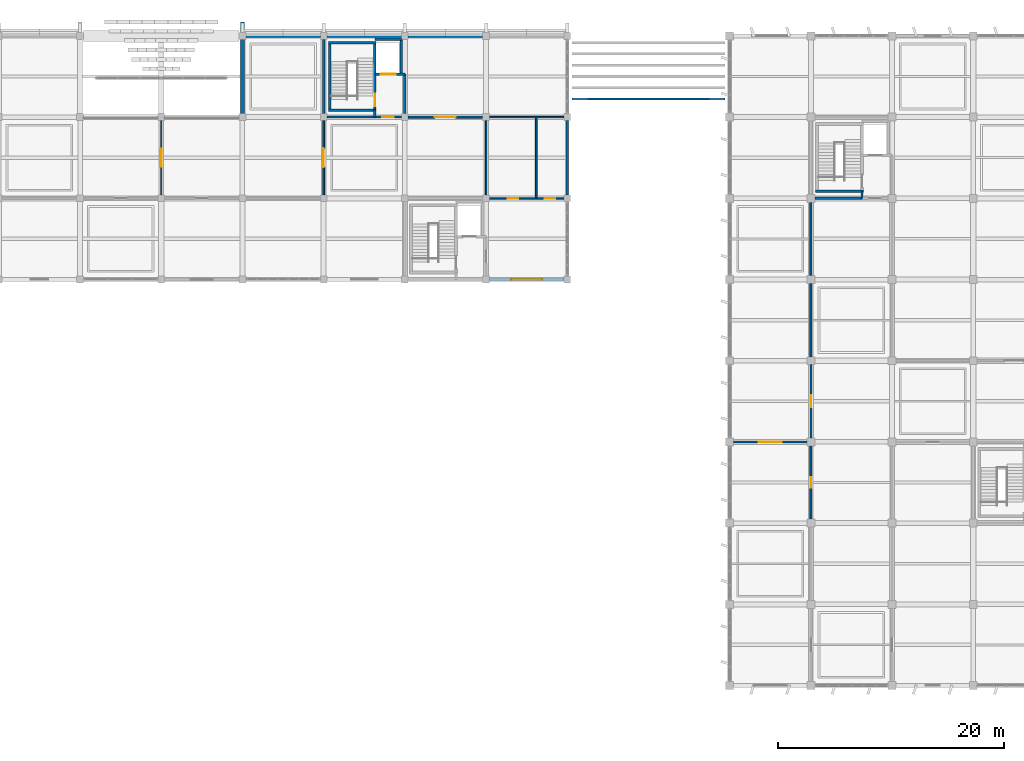
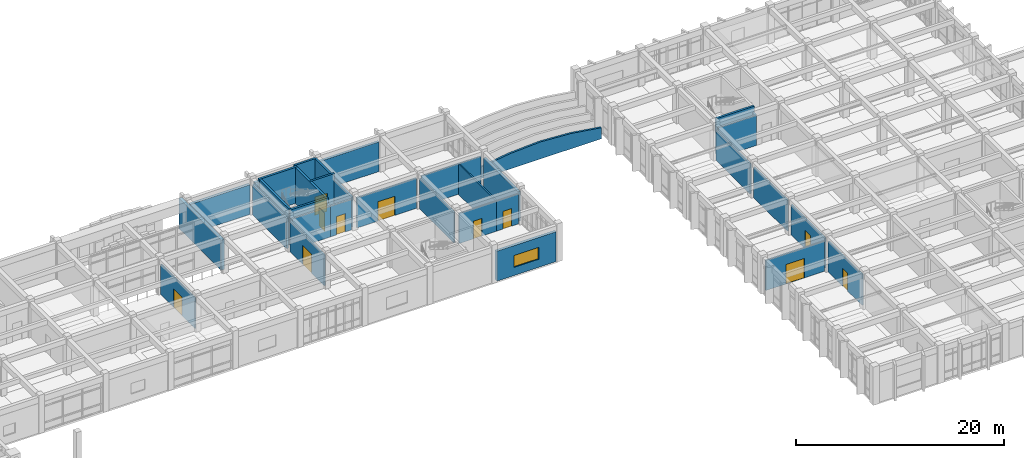
# One storey, part 67 of 81: 35 walls, 11 doors, 1 window, 12 openings.
"""IFC4 building model written with IfcOpenShell, lengths in metres."""

from ifc_helpers import new_model, si_unit, direction, frame, frame_2d, origin, place, context, subcontext, project, spatial, polyline, rectangle, outline, extrude, material, layer, layer_set, type_object, element, fill, save


model = new_model("IFC4")

# Units and contexts
model_context = context("Model", 3, precision=1e-05, world=origin(), true_north=direction((0.0, 1.0)))
body_context = subcontext(model_context, "Body", "Model", "MODEL_VIEW")
ifc_project = project(units=[si_unit("LENGTHUNIT", "METRE"), si_unit("AREAUNIT", "SQUARE_METRE"), si_unit("VOLUMEUNIT", "CUBIC_METRE"), si_unit("PLANEANGLEUNIT", "RADIAN"), si_unit("MASSUNIT", "GRAM", prefix="KILO")], contexts=[model_context])

# Site, building, storey
site_placement = place(None, origin())
site = spatial("IfcSite", under=ifc_project, at=site_placement, CompositionType="ELEMENT")
building_placement = place(site_placement, origin())
building = spatial("IfcBuilding", under=site, at=building_placement, Name="Kavelor Marine Aquarium", CompositionType="ELEMENT")
storey_placement = place(building_placement, frame((0.0, 0.0, 4.679931640625)))
storey = spatial("IfcBuildingStorey", under=building, at=storey_placement, Name="L01", CompositionType="ELEMENT", Elevation=4.679931640625)

# Walls
ifc_material_1 = material(Name="Concrete C45/55", Category="concrete")
ifc_layer_1 = layer(ifc_material_1, 0.2099609375)
ifc_layer_set_1 = layer_set([ifc_layer_1], Name="WL-BD3")
wall_type_1 = type_object("IfcWallType", Name="WL-BD3", PredefinedType="PARAPET", material=ifc_layer_set_1)
wall_1_placement = place(storey_placement, frame((104.39990234375, 105.199951171875, -0.300048828125), z_axis=(0.0, 0.0, 1.0), x_axis=(1.0, 0.0, 0.0)))
element("IfcWall", 1, at=wall_1_placement, inside=storey, type_object=wall_type_1, Name="portal:arch:north:6", PredefinedType="PARAPET", context=body_context, shape_type="SweptSolid", body=[
    extrude(outline(polyline([(0.0, 0.0), (13.60009765625, 0.0), (13.60009765625, 1.300048828125), (10.199951171875, 1.800048828125), (6.800048828125, 2.0), (3.39990234375, 1.800048828125), (0.0, 1.300048828125), (0.0, 0.0)])), frame((0.0, 0.10498046875, 0.0), z_axis=(0.0, -1.0, 0.0), x_axis=(1.0, 0.0, 0.0)), (0.0, 0.0, 1.0), 0.2099609375),
])
ifc_material_2 = material(Name="Concrete C45/55", Category="concrete")
ifc_layer_2 = layer(ifc_material_2, 0.360107421875)
ifc_layer_set_2 = layer_set([ifc_layer_2], Name="WL-EX1")
wall_type_2 = type_object("IfcWallType", Name="WL-EX1", PredefinedType="STANDARD", material=ifc_layer_set_2)
wall_2_placement = place(storey_placement, frame((75.199951171875, 103.89501953125, 0.0), z_axis=(0.0, 0.0, 1.0), x_axis=(0.0, 1.0, 0.0)))
element("IfcWall", 2, at=wall_2_placement, inside=storey, type_object=wall_type_2, Name="ew:portal:north:cheek:e:L01", PredefinedType="STANDARD", context=body_context, shape_type="SweptSolid", body=[
    extrude(rectangle(XDim=8.14501953125, YDim=0.360107421875, at=frame_2d((4.072509765625, 0.0))), origin(), (0.0, 0.0, 1.0), 3.5400390625),
])
ifc_material_3 = material(Name="Concrete C40/50", Category="concrete")
ifc_layer_3 = layer(ifc_material_3, 0.300048828125)
ifc_layer_set_3 = layer_set([ifc_layer_3], Name="WL-EX3")
wall_type_3 = type_object("IfcWallType", Name="WL-EX3", PredefinedType="STANDARD", material=ifc_layer_set_3)
wall_3_placement = place(storey_placement, frame((75.4951171875, 110.800048828125, 0.0), z_axis=(0.0, 0.0, 1.0), x_axis=(1.0, 0.0, 0.0)))
element("IfcWall", 3, at=wall_3_placement, inside=storey, type_object=wall_type_3, Name="ew:x:L01:10_15", PredefinedType="STANDARD", context=body_context, shape_type="SweptSolid", body=[
    extrude(rectangle(XDim=6.60986328125, YDim=0.300048828125, at=frame_2d((3.304931640625, 0.0))), origin(), (0.0, 0.0, 1.0), 3.489990234375),
])

# Wall, opening, window
wall_4_placement = place(storey_placement, frame((103.705078125, 89.199951171875, 0.0), z_axis=(0.0, 0.0, 1.0), x_axis=(-1.0, 0.0, 0.0)))
wall_4 = element("IfcWall", 4, at=wall_4_placement, inside=storey, type_object=wall_type_3, Name="ew:x:L01:13_12", PredefinedType="STANDARD", context=body_context, shape_type="SweptSolid", body=[
    extrude(rectangle(XDim=6.610107421875, YDim=0.300048828125, at=frame_2d((3.30517578125, 0.0))), origin(), (0.0, 0.0, 1.0), 3.510009765625),
])
opening_1_placement = place(wall_4_placement, frame((1.929931640625, 0.0, 0.949951171875)))
opening_1 = element("IfcOpeningElement", 5, at=opening_1_placement, cuts=wall_4, Name="Opening W33", PredefinedType="OPENING", context=body_context, shape_type="SweptSolid", body=[
    extrude(rectangle(XDim=2.75, YDim=1.39990234375, at=frame_2d((1.375, 0.699951171875))), frame((0.0, 0.159912109375, 0.0), z_axis=(0.0, -1.0, 0.0), x_axis=(1.0, 0.0, 0.0)), (0.0, 0.0, 1.0), 0.320049),
])
ifc_material_4 = material(Name="Anodised Aluminium Frame with Low-E Double Glazing", Category="aluminium")
window_type = type_object("IfcWindowType", Name="WIN-W33", PartitioningType="DOUBLE_PANEL_VERTICAL", PredefinedType="WINDOW", material=ifc_material_4)
window_placement = place(opening_1_placement, origin())
window = element("IfcWindow", 6, at=window_placement, inside=storey, type_object=window_type, Name="win:x:L01:13_12", OverallHeight=1.39990234375, OverallWidth=2.75, PartitioningType="SINGLE_PANEL", PredefinedType="WINDOW", context=body_context, shape_type="SweptSolid", body=[
    extrude(rectangle(XDim=2.75, YDim=1.39990234375, at=frame_2d((1.375, 0.699951171875))), frame((0.0, 0.030029296875, 0.0), z_axis=(0.0, -1.0, 0.0), x_axis=(1.0, 0.0, 0.0)), (0.0, 0.0, 1.0), 0.06005859375),
])
fill(opening_1, window)

# Walls
ifc_material_5 = material(Name="Concrete C40/50", Category="concrete")
ifc_layer_4 = layer(ifc_material_5, 0.280029296875)
ifc_layer_set_4 = layer_set([ifc_layer_4], Name="WL-EX4")
wall_type_4 = type_object("IfcWallType", Name="WL-EX4", PredefinedType="STANDARD", material=ifc_layer_set_4)
wall_5_placement = place(storey_placement, frame((82.695068359375, 110.800048828125, 0.0), z_axis=(0.0, 0.0, 1.0), x_axis=(1.0, 0.0, 0.0)))
element("IfcWall", 7, at=wall_5_placement, inside=storey, type_object=wall_type_4, Name="ew:x:L01:11_15", PredefinedType="STANDARD", context=body_context, shape_type="SweptSolid", body=[
    extrude(rectangle(XDim=6.60986328125, YDim=0.280029296875, at=frame_2d((3.304931640625, 0.0))), origin(), (0.0, 0.0, 1.0), 3.510009765625),
])
ifc_material_6 = material(Name="Concrete C40/50", Category="concrete")
ifc_layer_5 = layer(ifc_material_6, 0.260009765625)
ifc_layer_set_5 = layer_set([ifc_layer_5], Name="WL-EX5")
wall_type_5 = type_object("IfcWallType", Name="WL-EX5", PredefinedType="STANDARD", material=ifc_layer_set_5)
for number, where, z_axis, x_axis, name in (
    (8, (89.89501953125, 110.800048828125, 0.0), (0.0, 0.0, 1.0), (1.0, 0.0, 0.0), "ew:x:L01:12_15"),
    (9, (104.0, 103.304931640625, 0.0), (0.0, 0.0, 1.0), (0.0, -1.0, 0.0), "ew:y:L01:14_13"),
):
    element("IfcWall", number, at=place(storey_placement, frame(where, z_axis=z_axis, x_axis=x_axis)), inside=storey, type_object=wall_type_5, Name=name, PredefinedType="STANDARD", context=body_context, shape_type="SweptSolid", body=[
        extrude(rectangle(XDim=6.60986328125, YDim=0.260009765625, at=frame_2d((3.304931640625, 0.0))), origin(), (0.0, 0.0, 1.0), 3.489990234375),
    ])
ifc_material_7 = material(Name="Concrete Blockwork Partition", Category="masonry")
ifc_layer_6 = layer(ifc_material_7, 0.199951171875)
ifc_layer_set_6 = layer_set([ifc_layer_6], Name="WL-PT1")
wall_type_6 = type_object("IfcWallType", Name="WL-PT1", PredefinedType="PARTITIONING", material=ifc_layer_set_6)
wall_6_placement = place(storey_placement, frame((86.93994140625, 103.60009765625, 0.0), z_axis=(0.0, 0.0, 1.0), x_axis=(0.0, 1.0, 0.0)))
element("IfcWall", 10, at=wall_6_placement, inside=storey, type_object=wall_type_6, Name="pt:st_close:s:C06:L01", PredefinedType="PARTITIONING", context=body_context, shape_type="SweptSolid", body=[
    extrude(rectangle(XDim=0.619873046875, YDim=0.199951171875, at=frame_2d((0.31005859375, 0.0))), origin(), (0.0, 0.0, 1.0), 3.590087890625),
])
wall_7_placement = place(storey_placement, frame((82.39990234375, 103.89990234375, 0.0), z_axis=(0.0, 0.0, 1.0), x_axis=(0.0, 1.0, 0.0)))
element("IfcWall", 11, at=wall_7_placement, inside=storey, type_object=wall_type_6, Name="pt:lob:C06:L01:w", PredefinedType="PARTITIONING", context=body_context, shape_type="SweptSolid", body=[
    extrude(rectangle(XDim=6.60009765625, YDim=0.199951171875, at=frame_2d((3.300048828125, 0.0))), origin(), (0.0, 0.0, 1.0), 3.5400390625),
])
wall_8_placement = place(storey_placement, frame((89.60009765625, 103.89990234375, 0.0), z_axis=(0.0, 0.0, 1.0), x_axis=(0.0, 1.0, 0.0)))
element("IfcWall", 12, at=wall_8_placement, inside=storey, type_object=wall_type_6, Name="pt:lob:C06:L01:e", PredefinedType="PARTITIONING", context=body_context, shape_type="SweptSolid", body=[
    extrude(rectangle(XDim=3.5, YDim=0.199951171875, at=frame_2d((1.75, 0.0))), origin(), (0.0, 0.0, 1.0), 3.5400390625),
])
wall_9_placement = place(storey_placement, frame((82.699951171875, 103.60009765625, 0.0), z_axis=(0.0, 0.0, 1.0), x_axis=(1.0, 0.0, 0.0)))
element("IfcWall", 13, at=wall_9_placement, inside=storey, type_object=wall_type_6, Name="pt:lob:C06:L01:s_st", PredefinedType="PARTITIONING", context=body_context, shape_type="SweptSolid", body=[
    extrude(rectangle(XDim=4.239990234375, YDim=0.199951171875, at=frame_2d((2.1201171875, 0.0))), origin(), (0.0, 0.0, 1.0), 3.590087890625),
])

# Wall, opening, door
wall_10_placement = place(storey_placement, frame((86.93994140625, 103.60009765625, 0.0), z_axis=(0.0, 0.0, 1.0), x_axis=(1.0, 0.0, 0.0)))
wall_10 = element("IfcWall", 14, at=wall_10_placement, inside=storey, type_object=wall_type_6, Name="pt:lob:C06:L01:s", PredefinedType="PARTITIONING", context=body_context, shape_type="SweptSolid", body=[
    extrude(rectangle(XDim=2.360107421875, YDim=0.199951171875, at=frame_2d((1.18017578125, 0.0))), origin(), (0.0, 0.0, 1.0), 3.590087890625),
])
opening_2_placement = place(wall_10_placement, frame((0.669921875, 0.0, 0.0)))
opening_2 = element("IfcOpeningElement", 15, at=opening_2_placement, cuts=wall_10, Name="Opening SD1", PredefinedType="OPENING", context=body_context, shape_type="SweptSolid", body=[
    extrude(rectangle(XDim=1.02001953125, YDim=2.14990234375, at=frame_2d((0.510009765625, 1.074951171875))), frame((0.0, 0.10986328125, 0.0), z_axis=(0.0, -1.0, 0.0), x_axis=(1.0, 0.0, 0.0)), (0.0, 0.0, 1.0), 0.219951),
])
ifc_material_8 = material(Name="Fire-Rated Corridor Compartment Door")
door_type_1 = type_object("IfcDoorType", Name="DR-SD1", OperationType="NOTDEFINED", PredefinedType="DOOR", material=ifc_material_8)
door_1_placement = place(opening_2_placement, origin())
door_1 = element("IfcDoor", 16, at=door_1_placement, inside=storey, type_object=door_type_1, Name="Core Lobby Fire Door C06-L01", OperationType="SINGLE_SWING_RIGHT", OverallHeight=2.14990234375, OverallWidth=1.02001953125, PredefinedType="DOOR", context=body_context, shape_type="SweptSolid", body=[
    extrude(rectangle(XDim=1.02001953125, YDim=2.14990234375, at=frame_2d((0.510009765625, 1.074951171875))), frame((0.0, 0.02490234375, 0.0), z_axis=(0.0, -1.0, 0.0), x_axis=(1.0, 0.0, 0.0)), (0.0, 0.0, 1.0), 0.050048828125),
])
fill(opening_2, door_1)

# Walls
wall_11_placement = place(storey_placement, frame((130.139892578125, 96.39990234375, 0.0), z_axis=(0.0, 0.0, 1.0), x_axis=(0.0, 1.0, 0.0)))
element("IfcWall", 17, at=wall_11_placement, inside=storey, type_object=wall_type_6, Name="pt:st_close:s:C10:L01", PredefinedType="PARTITIONING", context=body_context, shape_type="SweptSolid", body=[
    extrude(rectangle(XDim=0.6201171875, YDim=0.199951171875, at=frame_2d((0.31005859375, 0.0))), origin(), (0.0, 0.0, 1.0), 3.5400390625),
])
wall_12_placement = place(storey_placement, frame((125.949951171875, 96.39990234375, 0.0), z_axis=(0.0, 0.0, 1.0), x_axis=(1.0, 0.0, 0.0)))
element("IfcWall", 18, at=wall_12_placement, inside=storey, type_object=wall_type_6, Name="pt:lob:C10:L01:s_st", PredefinedType="PARTITIONING", context=body_context, shape_type="SweptSolid", body=[
    extrude(rectangle(XDim=4.18994140625, YDim=0.199951171875, at=frame_2d((2.094970703125, 0.0))), origin(), (0.0, 0.0, 1.0), 3.5400390625),
])

# Wall, opening, door
ifc_material_9 = material(Name="Acoustic Gypsum Stud Partition")
ifc_layer_7 = layer(ifc_material_9, 0.159912109375)
ifc_layer_set_7 = layer_set([ifc_layer_7], Name="WL-PT2")
wall_type_7 = type_object("IfcWallType", Name="WL-PT2", PredefinedType="PARTITIONING", material=ifc_layer_set_7)
wall_13_placement = place(storey_placement, frame((82.39990234375, 96.699951171875, 0.0), z_axis=(0.0, 0.0, 1.0), x_axis=(0.0, 1.0, 0.0)))
wall_13 = element("IfcWall", 19, at=wall_13_placement, inside=storey, type_object=wall_type_7, Name="pt:y:L01:10_13", PredefinedType="PARTITIONING", context=body_context, shape_type="SweptSolid", body=[
    extrude(rectangle(XDim=6.60009765625, YDim=0.159912109375, at=frame_2d((3.300048828125, 0.0))), origin(), (0.0, 0.0, 1.0), 3.590087890625),
])
opening_3_placement = place(wall_13_placement, frame((2.469970703125, 0.0, 0.0)))
opening_3 = element("IfcOpeningElement", 20, at=opening_3_placement, cuts=wall_13, Name="Opening D12", PredefinedType="OPENING", context=body_context, shape_type="SweptSolid", body=[
    extrude(rectangle(XDim=1.659912109375, YDim=2.219970703125, at=frame_2d((0.830078125, 1.10986328125))), frame((0.0, 0.08984375, 0.0), z_axis=(0.0, -1.0, 0.0), x_axis=(1.0, 0.0, 0.0)), (0.0, 0.0, 1.0), 0.179912),
])
ifc_material_10 = material(Name="Amphitheatre Vestibule Double Door")
door_type_2 = type_object("IfcDoorType", Name="DR-D12", OperationType="NOTDEFINED", PredefinedType="DOOR", material=ifc_material_10)
door_2_placement = place(opening_3_placement, origin())
door_2 = element("IfcDoor", 21, at=door_2_placement, inside=storey, type_object=door_type_2, Name="dr:rm:pt:y:L01:10_13:1", OperationType="DOUBLE_DOOR_SINGLE_SWING", OverallHeight=2.219970703125, OverallWidth=1.659912109375, PredefinedType="DOOR", context=body_context, shape_type="SweptSolid", body=[
    extrude(rectangle(XDim=1.659912109375, YDim=2.219970703125, at=frame_2d((0.830078125, 1.10986328125))), frame((0.0, 0.02490234375, 0.0), z_axis=(0.0, -1.0, 0.0), x_axis=(1.0, 0.0, 0.0)), (0.0, 0.0, 1.0), 0.050048828125),
])
fill(opening_3, door_2)

wall_14_placement = place(storey_placement, frame((89.89990234375, 103.60009765625, 0.0), z_axis=(0.0, 0.0, 1.0), x_axis=(1.0, 0.0, 0.0)))
wall_14 = element("IfcWall", 22, at=wall_14_placement, inside=storey, type_object=wall_type_7, Name="pt:x:L01:12_13", PredefinedType="PARTITIONING", context=body_context, shape_type="SweptSolid", body=[
    extrude(rectangle(XDim=6.60009765625, YDim=0.159912109375, at=frame_2d((3.300048828125, 0.0))), origin(), (0.0, 0.0, 1.0), 3.5400390625),
])
opening_4_placement = place(wall_14_placement, frame((2.3701171875, 0.0, 0.0)))
opening_4 = element("IfcOpeningElement", 23, at=opening_4_placement, cuts=wall_14, Name="Opening D13", PredefinedType="OPENING", context=body_context, shape_type="SweptSolid", body=[
    extrude(rectangle(XDim=1.860107421875, YDim=2.260009765625, at=frame_2d((0.93017578125, 1.1298828125))), frame((0.0, 0.08984375, 0.0), z_axis=(0.0, -1.0, 0.0), x_axis=(1.0, 0.0, 0.0)), (0.0, 0.0, 1.0), 0.179912),
])
ifc_material_11 = material(Name="Main Foyer Exhibition Double Door")
door_type_3 = type_object("IfcDoorType", Name="DR-D13", OperationType="NOTDEFINED", PredefinedType="DOOR", material=ifc_material_11)
door_3_placement = place(opening_4_placement, origin())
door_3 = element("IfcDoor", 24, at=door_3_placement, inside=storey, type_object=door_type_3, Name="dr:rm:pt:x:L01:12_13:0", OperationType="DOUBLE_DOOR_SINGLE_SWING", OverallHeight=2.260009765625, OverallWidth=1.860107421875, PredefinedType="DOOR", context=body_context, shape_type="SweptSolid", body=[
    extrude(rectangle(XDim=1.860107421875, YDim=2.260009765625, at=frame_2d((0.93017578125, 1.1298828125))), frame((0.0, 0.02490234375, 0.0), z_axis=(0.0, -1.0, 0.0), x_axis=(1.0, 0.0, 0.0)), (0.0, 0.0, 1.0), 0.050048828125),
])
fill(opening_4, door_3)

wall_15_placement = place(storey_placement, frame((125.60009765625, 67.949951171875, 0.0), z_axis=(0.0, 0.0, 1.0), x_axis=(0.0, 1.0, 0.0)))
wall_15 = element("IfcWall", 25, at=wall_15_placement, inside=storey, type_object=wall_type_7, Name="pt:y:L01:16_09", PredefinedType="PARTITIONING", context=body_context, shape_type="SweptSolid", body=[
    extrude(rectangle(XDim=6.5, YDim=0.159912109375, at=frame_2d((3.25, 0.0))), origin(), (0.0, 0.0, 1.0), 3.590087890625),
])
opening_5_placement = place(wall_15_placement, frame((2.77001953125, 0.0, 0.0)))
opening_5 = element("IfcOpeningElement", 26, at=opening_5_placement, cuts=wall_15, Name="Opening D01", PredefinedType="OPENING", context=body_context, shape_type="SweptSolid", body=[
    extrude(rectangle(XDim=0.9599609375, YDim=2.10009765625, at=frame_2d((0.47998046875, 1.050048828125))), frame((0.0, 0.08984375, 0.0), z_axis=(0.0, -1.0, 0.0), x_axis=(1.0, 0.0, 0.0)), (0.0, 0.0, 1.0), 0.179912),
])
ifc_material_12 = material(Name="Solid-Core Acoustic Timber Laboratory Door", Category="wood")
door_type_4 = type_object("IfcDoorType", Name="DR-D01", OperationType="NOTDEFINED", PredefinedType="DOOR", material=ifc_material_12)
door_4_placement = place(opening_5_placement, origin())
door_4 = element("IfcDoor", 27, at=door_4_placement, inside=storey, type_object=door_type_4, Name="dr:rm:pt:y:L01:16_09:1", OperationType="SINGLE_SWING_RIGHT", OverallHeight=2.10009765625, OverallWidth=0.9599609375, PredefinedType="DOOR", context=body_context, shape_type="SweptSolid", body=[
    extrude(rectangle(XDim=0.9599609375, YDim=2.10009765625, at=frame_2d((0.47998046875, 1.050048828125))), frame((0.0, 0.02490234375, 0.0), z_axis=(0.0, -1.0, 0.0), x_axis=(1.0, 0.0, 0.0)), (0.0, 0.0, 1.0), 0.050048828125),
])
fill(opening_5, door_4)

wall_16_placement = place(storey_placement, frame((118.75, 74.800048828125, 0.0), z_axis=(0.0, 0.0, 1.0), x_axis=(1.0, 0.0, 0.0)))
wall_16 = element("IfcWall", 28, at=wall_16_placement, inside=storey, type_object=wall_type_7, Name="pt:x:L01:16_09", PredefinedType="PARTITIONING", context=body_context, shape_type="SweptSolid", body=[
    extrude(rectangle(XDim=6.5, YDim=0.159912109375, at=frame_2d((3.25, 0.0))), origin(), (0.0, 0.0, 1.0), 3.5400390625),
])
opening_6_placement = place(wall_16_placement, frame((2.219970703125, 0.0, 0.0)))
opening_6 = element("IfcOpeningElement", 29, at=opening_6_placement, cuts=wall_16, Name="Opening D14", PredefinedType="OPENING", context=body_context, shape_type="SweptSolid", body=[
    extrude(rectangle(XDim=2.06005859375, YDim=2.280029296875, at=frame_2d((1.030029296875, 1.14013671875))), frame((0.0, 0.08984375, 0.0), z_axis=(0.0, -1.0, 0.0), x_axis=(1.0, 0.0, 0.0)), (0.0, 0.0, 1.0), 0.179912),
])
ifc_material_13 = material(Name="LSS Filtration Equipment Double Door")
door_type_5 = type_object("IfcDoorType", Name="DR-D14", OperationType="NOTDEFINED", PredefinedType="DOOR", material=ifc_material_13)
door_5_placement = place(opening_6_placement, origin())
door_5 = element("IfcDoor", 30, at=door_5_placement, inside=storey, type_object=door_type_5, Name="dr:rm:pt:x:L01:16_09:0", OperationType="DOUBLE_DOOR_SINGLE_SWING", OverallHeight=2.280029296875, OverallWidth=2.06005859375, PredefinedType="DOOR", context=body_context, shape_type="SweptSolid", body=[
    extrude(rectangle(XDim=2.06005859375, YDim=2.280029296875, at=frame_2d((1.030029296875, 1.14013671875))), frame((0.0, 0.02490234375, 0.0), z_axis=(0.0, -1.0, 0.0), x_axis=(1.0, 0.0, 0.0)), (0.0, 0.0, 1.0), 0.050048828125),
])
fill(opening_6, door_5)

wall_17_placement = place(storey_placement, frame((125.60009765625, 75.14990234375, 0.0), z_axis=(0.0, 0.0, 1.0), x_axis=(0.0, 1.0, 0.0)))
wall_17 = element("IfcWall", 31, at=wall_17_placement, inside=storey, type_object=wall_type_7, Name="pt:y:L01:16_10", PredefinedType="PARTITIONING", context=body_context, shape_type="SweptSolid", body=[
    extrude(rectangle(XDim=6.5, YDim=0.159912109375, at=frame_2d((3.25, 0.0))), origin(), (0.0, 0.0, 1.0), 3.5400390625),
])
opening_7_placement = place(wall_17_placement, frame((2.7099609375, 0.0, 0.0)))
opening_7 = element("IfcOpeningElement", 32, at=opening_7_placement, cuts=wall_17, Name="Opening D08", PredefinedType="OPENING", context=body_context, shape_type="SweptSolid", body=[
    extrude(rectangle(XDim=1.080078125, YDim=2.159912109375, at=frame_2d((0.5400390625, 1.080078125))), frame((0.0, 0.08984375, 0.0), z_axis=(0.0, -1.0, 0.0), x_axis=(1.0, 0.0, 0.0)), (0.0, 0.0, 1.0), 0.179912),
])
ifc_material_14 = material(Name="Discovery Wet Lab Vision Door")
door_type_6 = type_object("IfcDoorType", Name="DR-D08", OperationType="NOTDEFINED", PredefinedType="DOOR", material=ifc_material_14)
door_6_placement = place(opening_7_placement, origin())
door_6 = element("IfcDoor", 33, at=door_6_placement, inside=storey, type_object=door_type_6, Name="dr:rm:pt:y:L01:16_10:0", OperationType="SINGLE_SWING_LEFT", OverallHeight=2.159912109375, OverallWidth=1.080078125, PredefinedType="DOOR", context=body_context, shape_type="SweptSolid", body=[
    extrude(rectangle(XDim=1.080078125, YDim=2.159912109375, at=frame_2d((0.5400390625, 1.080078125))), frame((0.0, 0.02490234375, 0.0), z_axis=(0.0, -1.0, 0.0), x_axis=(1.0, 0.0, 0.0)), (0.0, 0.0, 1.0), 0.050048828125),
])
fill(opening_7, door_6)

# Walls
wall_18_placement = place(storey_placement, frame((125.60009765625, 82.35009765625, 0.0), z_axis=(0.0, 0.0, 1.0), x_axis=(0.0, 1.0, 0.0)))
element("IfcWall", 34, at=wall_18_placement, inside=storey, type_object=wall_type_7, Name="pt:y:L01:16_11", PredefinedType="PARTITIONING", context=body_context, shape_type="SweptSolid", body=[
    extrude(rectangle(XDim=6.5, YDim=0.159912109375, at=frame_2d((3.25, 0.0))), origin(), (0.0, 0.0, 1.0), 3.590087890625),
])
wall_19_placement = place(storey_placement, frame((125.60009765625, 89.550048828125, 0.0), z_axis=(0.0, 0.0, 1.0), x_axis=(0.0, 1.0, 0.0)))
element("IfcWall", 35, at=wall_19_placement, inside=storey, type_object=wall_type_7, Name="pt:y:L01:16_12", PredefinedType="PARTITIONING", context=body_context, shape_type="SweptSolid", body=[
    extrude(rectangle(XDim=6.5, YDim=0.159912109375, at=frame_2d((3.25, 0.0))), origin(), (0.0, 0.0, 1.0), 3.5400390625),
])
ifc_material_15 = material(Name="Moisture-Resistant Marine Partition")
ifc_layer_8 = layer(ifc_material_15, 0.139892578125)
ifc_layer_set_8 = layer_set([ifc_layer_8], Name="WL-PT3")
wall_type_8 = type_object("IfcWallType", Name="WL-PT3", PredefinedType="PARTITIONING", material=ifc_layer_set_8)
wall_20_placement = place(storey_placement, frame((101.25, 96.39990234375, 0.0), z_axis=(0.0, 0.0, 1.0), x_axis=(0.0, 1.0, 0.0)))
element("IfcWall", 36, at=wall_20_placement, inside=storey, type_object=wall_type_8, Name="pt:san:div:L01:13_13", PredefinedType="PARTITIONING", context=body_context, shape_type="SweptSolid", body=[
    extrude(rectangle(XDim=7.2001953125, YDim=0.139892578125, at=frame_2d((3.60009765625, 0.0))), origin(), (0.0, 0.0, 1.0), 3.6201171875),
])

# Wall, opening, door
wall_21_placement = place(storey_placement, frame((97.10009765625, 96.39990234375, 0.0), z_axis=(0.0, 0.0, 1.0), x_axis=(1.0, 0.0, 0.0)))
wall_21 = element("IfcWall", 37, at=wall_21_placement, inside=storey, type_object=wall_type_8, Name="pt:san:f1:L01:13_13", PredefinedType="PARTITIONING", context=body_context, shape_type="SweptSolid", body=[
    extrude(rectangle(XDim=4.14990234375, YDim=0.139892578125, at=frame_2d((2.074951171875, 0.0))), origin(), (0.0, 0.0, 1.0), 3.5400390625),
])
opening_8_placement = place(wall_21_placement, frame((1.614990234375, 0.0, 0.0)))
opening_8 = element("IfcOpeningElement", 38, at=opening_8_placement, cuts=wall_21, Name="Opening D02", PredefinedType="OPENING", context=body_context, shape_type="SweptSolid", body=[
    extrude(rectangle(XDim=0.919921875, YDim=2.080078125, at=frame_2d((0.4599609375, 1.0400390625))), frame((0.0, 0.079833984375, 0.0), z_axis=(0.0, -1.0, 0.0), x_axis=(1.0, 0.0, 0.0)), (0.0, 0.0, 1.0), 0.159893),
])
ifc_material_16 = material(Name="Moisture-Resistant Laminate Sanitary Door")
door_type_7 = type_object("IfcDoorType", Name="DR-D02", OperationType="NOTDEFINED", PredefinedType="DOOR", material=ifc_material_16)
door_7_placement = place(opening_8_placement, origin())
door_7 = element("IfcDoor", 39, at=door_7_placement, inside=storey, type_object=door_type_7, Name="dr:wc:L01:13_13", OperationType="SINGLE_SWING_RIGHT", OverallHeight=2.080078125, OverallWidth=0.919921875, PredefinedType="DOOR", context=body_context, shape_type="SweptSolid", body=[
    extrude(rectangle(XDim=0.919921875, YDim=2.080078125, at=frame_2d((0.4599609375, 1.0400390625))), frame((0.0, 0.02490234375, 0.0), z_axis=(0.0, -1.0, 0.0), x_axis=(1.0, 0.0, 0.0)), (0.0, 0.0, 1.0), 0.050048828125),
])
fill(opening_8, door_7)

wall_22_placement = place(storey_placement, frame((101.25, 96.39990234375, 0.0), z_axis=(0.0, 0.0, 1.0), x_axis=(1.0, 0.0, 0.0)))
wall_22 = element("IfcWall", 40, at=wall_22_placement, inside=storey, type_object=wall_type_8, Name="pt:san:f2:L01:13_13", PredefinedType="PARTITIONING", context=body_context, shape_type="SweptSolid", body=[
    extrude(rectangle(XDim=2.449951171875, YDim=0.139892578125, at=frame_2d((1.22509765625, 0.0))), origin(), (0.0, 0.0, 1.0), 3.5400390625),
])
opening_9_placement = place(wall_22_placement, frame((0.764892578125, 0.0, 0.0)))
opening_9 = element("IfcOpeningElement", 41, at=opening_9_placement, cuts=wall_22, Name="Opening D02", PredefinedType="OPENING", context=body_context, shape_type="SweptSolid", body=[
    extrude(rectangle(XDim=0.919921875, YDim=2.080078125, at=frame_2d((0.4599609375, 1.0400390625))), frame((0.0, 0.079833984375, 0.0), z_axis=(0.0, -1.0, 0.0), x_axis=(1.0, 0.0, 0.0)), (0.0, 0.0, 1.0), 0.159893),
])
door_8_placement = place(opening_9_placement, origin())
door_8 = element("IfcDoor", 42, at=door_8_placement, inside=storey, type_object=door_type_7, Name="dr:awc:L01:13_13", OperationType="SINGLE_SWING_LEFT", OverallHeight=2.080078125, OverallWidth=0.919921875, PredefinedType="DOOR", context=body_context, shape_type="SweptSolid", body=[
    extrude(rectangle(XDim=0.919921875, YDim=2.080078125, at=frame_2d((0.4599609375, 1.0400390625))), frame((0.0, 0.02490234375, 0.0), z_axis=(0.0, -1.0, 0.0), x_axis=(1.0, 0.0, 0.0)), (0.0, 0.0, 1.0), 0.050048828125),
])
fill(opening_9, door_8)

# Walls
wall_23_placement = place(storey_placement, frame((97.10009765625, 103.60009765625, 0.0), z_axis=(0.0, 0.0, 1.0), x_axis=(1.0, 0.0, 0.0)))
element("IfcWall", 43, at=wall_23_placement, inside=storey, type_object=wall_type_8, Name="pt:san:enc_n:L01:13_13", PredefinedType="PARTITIONING", context=body_context, shape_type="SweptSolid", body=[
    extrude(rectangle(XDim=6.599853515625, YDim=0.139892578125, at=frame_2d((3.2998046875, 0.0))), origin(), (0.0, 0.0, 1.0), 3.590087890625),
])
wall_24_placement = place(storey_placement, frame((96.800048828125, 96.699951171875, 0.0), z_axis=(0.0, 0.0, 1.0), x_axis=(0.0, 1.0, 0.0)))
element("IfcWall", 44, at=wall_24_placement, inside=storey, type_object=wall_type_8, Name="pt:san:enc_w:L01:13_13", PredefinedType="PARTITIONING", context=body_context, shape_type="SweptSolid", body=[
    extrude(rectangle(XDim=6.60009765625, YDim=0.139892578125, at=frame_2d((3.300048828125, 0.0))), origin(), (0.0, 0.0, 1.0), 3.590087890625),
])

# Wall, opening, door
ifc_material_17 = material(Name="Lightweight Drywall Partition")
ifc_layer_9 = layer(ifc_material_17, 0.1201171875)
ifc_layer_set_9 = layer_set([ifc_layer_9], Name="WL-PT4")
wall_type_9 = type_object("IfcWallType", Name="WL-PT4", PredefinedType="PARTITIONING", material=ifc_layer_set_9)
wall_25_placement = place(storey_placement, frame((68.0, 96.699951171875, 0.0), z_axis=(0.0, 0.0, 1.0), x_axis=(0.0, 1.0, 0.0)))
wall_25 = element("IfcWall", 45, at=wall_25_placement, inside=storey, type_object=wall_type_9, Name="pt:y:L01:08_13", PredefinedType="PARTITIONING", context=body_context, shape_type="SweptSolid", body=[
    extrude(rectangle(XDim=6.60009765625, YDim=0.1201171875, at=frame_2d((3.300048828125, 0.0))), origin(), (0.0, 0.0, 1.0), 3.590087890625),
])
opening_10_placement = place(wall_25_placement, frame((2.52001953125, 0.0, 0.0)))
opening_10 = element("IfcOpeningElement", 46, at=opening_10_placement, cuts=wall_25, Name="Opening D03", PredefinedType="OPENING", context=body_context, shape_type="SweptSolid", body=[
    extrude(rectangle(XDim=1.56005859375, YDim=2.199951171875, at=frame_2d((0.780029296875, 1.10009765625))), frame((0.0, 0.070068359375, 0.0), z_axis=(0.0, -1.0, 0.0), x_axis=(1.0, 0.0, 0.0)), (0.0, 0.0, 1.0), 0.140117),
])
ifc_material_18 = material(Name="Glazed Aluminium Gallery Double Door", Category="aluminium")
door_type_8 = type_object("IfcDoorType", Name="DR-D03", OperationType="NOTDEFINED", PredefinedType="DOOR", material=ifc_material_18)
door_9_placement = place(opening_10_placement, origin())
door_9 = element("IfcDoor", 47, at=door_9_placement, inside=storey, type_object=door_type_8, Name="dr:rm:pt:y:L01:08_13:0", OperationType="DOUBLE_DOOR_SINGLE_SWING", OverallHeight=2.199951171875, OverallWidth=1.56005859375, PredefinedType="DOOR", context=body_context, shape_type="SweptSolid", body=[
    extrude(rectangle(XDim=1.56005859375, YDim=2.199951171875, at=frame_2d((0.780029296875, 1.10009765625))), frame((0.0, 0.02490234375, 0.0), z_axis=(0.0, -1.0, 0.0), x_axis=(1.0, 0.0, 0.0)), (0.0, 0.0, 1.0), 0.050048828125),
])
fill(opening_10, door_9)

# Walls
ifc_material_19 = material(Name="Concrete C40/50", Category="concrete")
ifc_layer_10 = layer(ifc_material_19, 0.35009765625)
ifc_layer_set_10 = layer_set([ifc_layer_10], Name="WL-SW2")
wall_type_10 = type_object("IfcWallType", Name="WL-SW2", PredefinedType="SHEAR", material=ifc_layer_set_10)
for number, where, z_axis, x_axis, name in (
    (48, (82.820068359375, 104.219970703125, 0.0), (0.0, 0.0, 1.0), (1.0, 0.0, 0.0), "cw_st:s:C06:L01"),
    (49, (82.820068359375, 110.179931640625, 0.0), (0.0, 0.0, 1.0), (1.0, 0.0, 0.0), "cw_st:n:C06:L01"),
):
    element("IfcWall", number, at=place(storey_placement, frame(where, z_axis=z_axis, x_axis=x_axis)), inside=storey, type_object=wall_type_10, Name=name, PredefinedType="SHEAR", context=body_context, shape_type="SweptSolid", body=[
        extrude(rectangle(XDim=4.239990234375, YDim=0.239990234375, at=frame_2d((2.1201171875, 0.0))), origin(), (0.0, 0.0, 1.0), 4.219970703125),
    ])
wall_26_placement = place(storey_placement, frame((82.93994140625, 104.340087890625, 0.0), z_axis=(0.0, 0.0, 1.0), x_axis=(0.0, 1.0, 0.0)))
element("IfcWall", 50, at=wall_26_placement, inside=storey, type_object=wall_type_10, Name="cw_st:w:C06:L01", PredefinedType="SHEAR", context=body_context, shape_type="SweptSolid", body=[
    extrude(rectangle(XDim=5.719970703125, YDim=0.239990234375, at=frame_2d((2.85986328125, 0.0))), origin(), (0.0, 0.0, 1.0), 4.219970703125),
])

# Wall, opening, door
wall_27_placement = place(storey_placement, frame((86.93994140625, 104.340087890625, 0.0), z_axis=(0.0, 0.0, 1.0), x_axis=(0.0, 1.0, 0.0)))
wall_27 = element("IfcWall", 51, at=wall_27_placement, inside=storey, type_object=wall_type_10, Name="cw_st:e:C06:L01", PredefinedType="SHEAR", context=body_context, shape_type="SweptSolid", body=[
    extrude(rectangle(XDim=5.719970703125, YDim=0.239990234375, at=frame_2d((2.85986328125, 0.0))), origin(), (0.0, 0.0, 1.0), 4.219970703125),
])
opening_11_placement = place(wall_27_placement, frame((0.219970703125, 0.0, 0.0)))
opening_11 = element("IfcOpeningElement", 52, at=opening_11_placement, cuts=wall_27, Name="Opening FD1", PredefinedType="OPENING", context=body_context, shape_type="SweptSolid", body=[
    extrude(rectangle(XDim=1.1201171875, YDim=2.14990234375, at=frame_2d((0.56005859375, 1.074951171875))), frame((0.0, 0.1298828125, 0.0), z_axis=(0.0, -1.0, 0.0), x_axis=(1.0, 0.0, 0.0)), (0.0, 0.0, 1.0), 0.25999),
])
ifc_material_20 = material(Name="Fire-Rated Steel Stair and Core Door", Category="steel")
door_type_9 = type_object("IfcDoorType", Name="DR-FD1", OperationType="NOTDEFINED", PredefinedType="DOOR", material=ifc_material_20)
door_10_placement = place(opening_11_placement, origin())
door_10 = element("IfcDoor", 53, at=door_10_placement, inside=storey, type_object=door_type_9, Name="Stair Fire Door ST06-L01", OperationType="SINGLE_SWING_LEFT", OverallHeight=2.14990234375, OverallWidth=1.1201171875, PredefinedType="DOOR", context=body_context, shape_type="SweptSolid", body=[
    extrude(rectangle(XDim=1.1201171875, YDim=2.14990234375, at=frame_2d((0.56005859375, 1.074951171875))), frame((0.0, 0.02490234375, 0.0), z_axis=(0.0, -1.0, 0.0), x_axis=(1.0, 0.0, 0.0)), (0.0, 0.0, 1.0), 0.050048828125),
])
fill(opening_11, door_10)

wall_28_placement = place(storey_placement, frame((86.93994140625, 107.39990234375, 0.0), z_axis=(0.0, 0.0, 1.0), x_axis=(1.0, 0.0, 0.0)))
wall_28 = element("IfcWall", 54, at=wall_28_placement, inside=storey, type_object=wall_type_10, Name="cw_lf:s:C06:L01", PredefinedType="SHEAR", context=body_context, shape_type="SweptSolid", body=[
    extrude(rectangle(XDim=2.66015625, YDim=0.219970703125, at=frame_2d((1.330078125, 0.0))), origin(), (0.0, 0.0, 1.0), 4.219970703125),
])
opening_12_placement = place(wall_28_placement, frame((0.510009765625, 0.0, 0.0)))
opening_12 = element("IfcOpeningElement", 55, at=opening_12_placement, cuts=wall_28, Name="Opening LD2", PredefinedType="OPENING", context=body_context, shape_type="SweptSolid", body=[
    extrude(rectangle(XDim=1.340087890625, YDim=2.14990234375, at=frame_2d((0.669921875, 1.074951171875))), frame((0.0, 0.119873046875, 0.0), z_axis=(0.0, -1.0, 0.0), x_axis=(1.0, 0.0, 0.0)), (0.0, 0.0, 1.0), 0.239971),
])
ifc_material_21 = material(Name="Stainless Steel Goods and Stretcher Lift Sliding Door", Category="steel")
door_type_10 = type_object("IfcDoorType", Name="DR-LD2", OperationType="NOTDEFINED", PredefinedType="DOOR", material=ifc_material_21)
door_11_placement = place(opening_12_placement, origin())
door_11 = element("IfcDoor", 56, at=door_11_placement, inside=storey, type_object=door_type_10, Name="Lift Landing Sliding Door FL1-L01", OperationType="DOUBLE_DOOR_SLIDING", OverallHeight=2.14990234375, OverallWidth=1.340087890625, PredefinedType="DOOR", context=body_context, shape_type="SweptSolid", body=[
    extrude(rectangle(XDim=1.340087890625, YDim=2.14990234375, at=frame_2d((0.669921875, 1.074951171875))), frame((0.0, 0.02490234375, 0.0), z_axis=(0.0, -1.0, 0.0), x_axis=(1.0, 0.0, 0.0)), (0.0, 0.0, 1.0), 0.050048828125),
])
fill(opening_12, door_11)

# Walls
wall_29_placement = place(storey_placement, frame((86.93994140625, 110.5, 0.0), z_axis=(0.0, 0.0, 1.0), x_axis=(1.0, 0.0, 0.0)))
element("IfcWall", 57, at=wall_29_placement, inside=storey, type_object=wall_type_10, Name="cw_lf:n:C06:L01", PredefinedType="SHEAR", context=body_context, shape_type="SweptSolid", body=[
    extrude(rectangle(XDim=2.360107421875, YDim=0.219970703125, at=frame_2d((1.18017578125, 0.0))), origin(), (0.0, 0.0, 1.0), 4.219970703125),
])
wall_30_placement = place(storey_placement, frame((89.300048828125, 107.39990234375, 0.0), z_axis=(0.0, 0.0, 1.0), x_axis=(0.0, 1.0, 0.0)))
element("IfcWall", 58, at=wall_30_placement, inside=storey, type_object=wall_type_10, Name="cw_lf:e:C06:L01", PredefinedType="SHEAR", context=body_context, shape_type="SweptSolid", body=[
    extrude(rectangle(XDim=3.10009765625, YDim=0.219970703125, at=frame_2d((1.550048828125, 0.0))), origin(), (0.0, 0.0, 1.0), 4.219970703125),
])
wall_31_placement = place(storey_placement, frame((126.02001953125, 97.02001953125, 0.0), z_axis=(0.0, 0.0, 1.0), x_axis=(1.0, 0.0, 0.0)))
element("IfcWall", 59, at=wall_31_placement, inside=storey, type_object=wall_type_10, Name="cw_st:s:C10:L01", PredefinedType="SHEAR", context=body_context, shape_type="SweptSolid", body=[
    extrude(rectangle(XDim=4.239990234375, YDim=0.239990234375, at=frame_2d((2.1201171875, 0.0))), origin(), (0.0, 0.0, 1.0), 4.199951171875),
])

save(model, "model.ifc")
